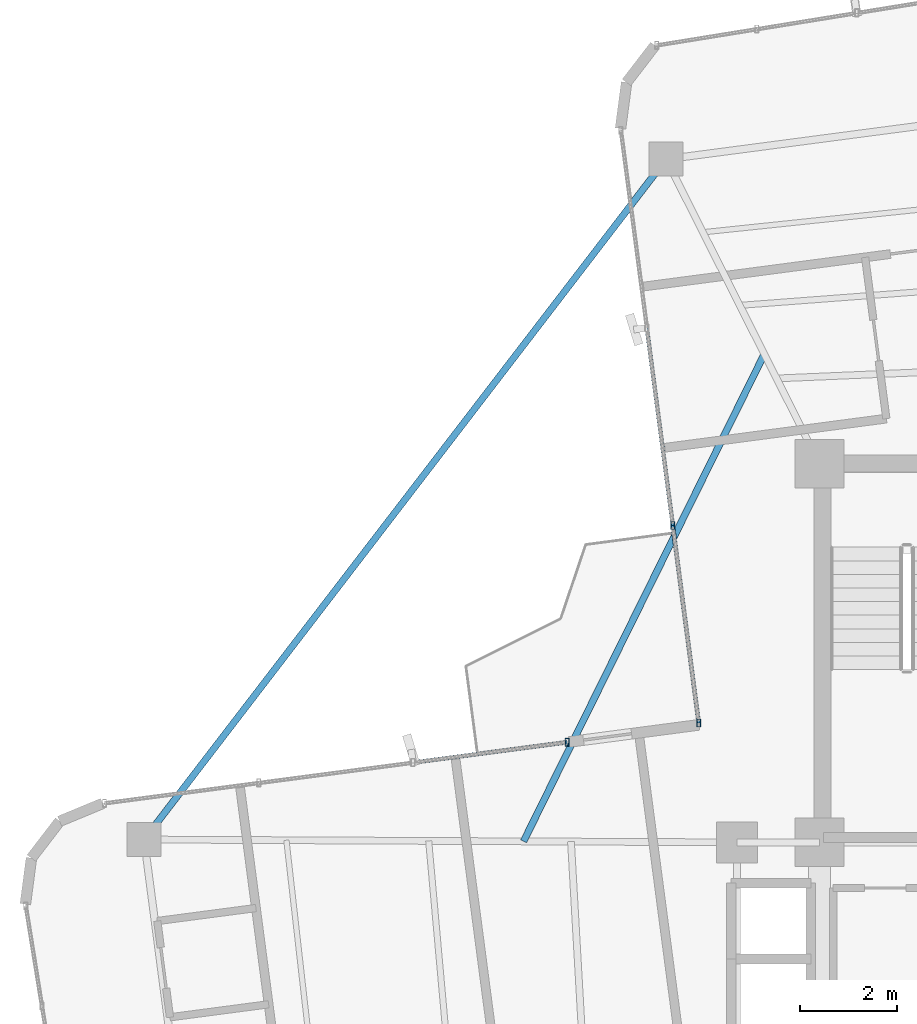
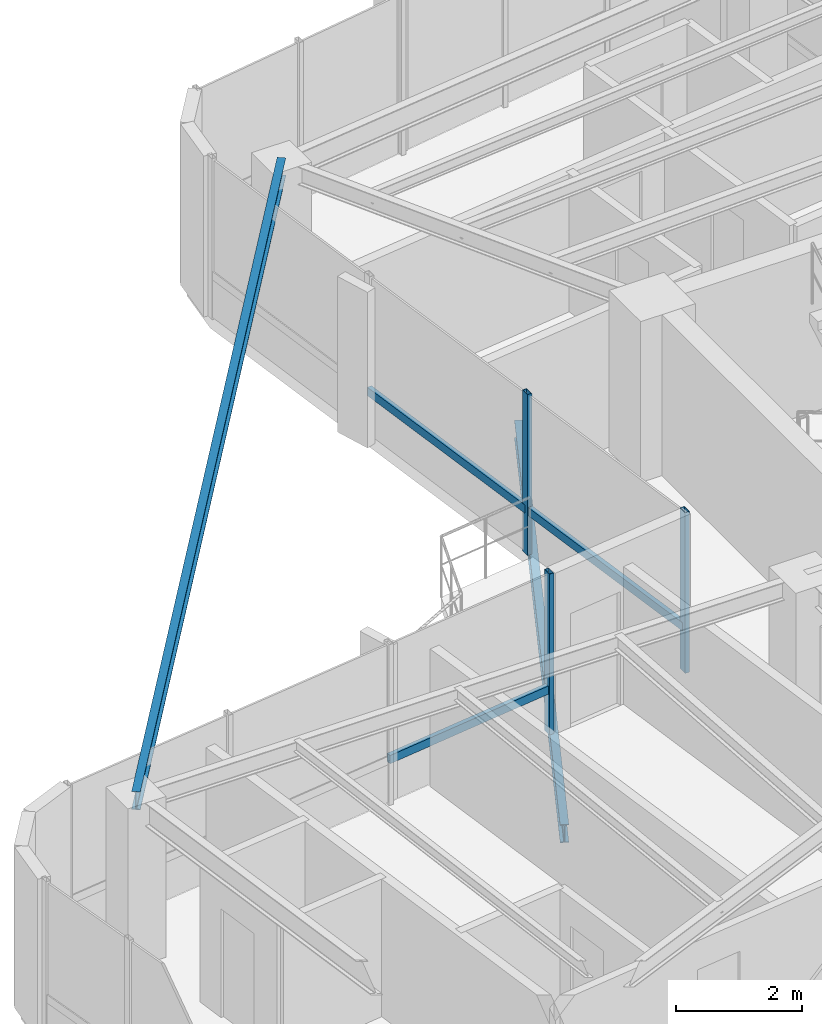
# One storey, part 9 of 22: 6 members, 2 beams, 2 elements without a shape of their own.
"""IFC4 building model written with IfcOpenShell, lengths in metres."""

from ifc_helpers import new_model, si_unit, direction, frame, origin, origin_2d, place, context, subcontext, project, spatial, hollow_rectangle, i_section, extrude, source, transform, mapped, material, material_profile, profile_set, type_object, element, aggregate, save


model = new_model("IFC4")

# Units and contexts
model_context = context("Model", 3, precision=1e-05, world=origin(), true_north=direction((0.0, 1.0)))
body_context = subcontext(model_context, "Body", "Model", "MODEL_VIEW")
ifc_project = project(units=[si_unit("LENGTHUNIT", "METRE"), si_unit("AREAUNIT", "SQUARE_METRE"), si_unit("VOLUMEUNIT", "CUBIC_METRE"), si_unit("PLANEANGLEUNIT", "RADIAN"), si_unit("MASSUNIT", "GRAM", prefix="KILO")], contexts=[model_context])

# Site, building, storey
site_placement = place(None, origin())
site = spatial("IfcSite", under=ifc_project, at=site_placement, CompositionType="ELEMENT")
building_placement = place(site_placement, origin())
building = spatial("IfcBuilding", under=site, at=building_placement, Name="Sahyath Konkavel Grand Hotel", CompositionType="ELEMENT")
storey_placement = place(building_placement, frame((0.0, 0.0, 272.449951171875)))
storey = spatial("IfcBuildingStorey", under=building, at=storey_placement, Name="L76", CompositionType="ELEMENT", Elevation=272.449951171875)

# Beam
ifc_material_1 = material(Name="Steel E350", Category="steel")
ifc_material_profile_1 = material_profile(ifc_material_1, i_section(OverallWidth=0.139892578125, OverallDepth=0.35009765625, WebThickness=0.008056640625, FlangeThickness=0.01416015625, FilletRadius=0.013916015625, at=origin_2d()), Name="ISMB 350")
ifc_profile_set_1 = profile_set([ifc_material_profile_1], Name="Steel E350")
beam_type_1 = type_object("IfcBeamType", Name="BM-ISMB350", PredefinedType="BEAM", material=ifc_profile_set_1)
shared_shape_1 = source(origin(), body_context, "Body", "SweptSolid", [
    extrude(i_section(OverallWidth=0.139892578125, OverallDepth=0.35009765625, WebThickness=0.008056640625, FlangeThickness=0.01416015625, FilletRadius=0.013916015625, at=origin_2d()), origin(), (0.0, 0.0, 1.0), 17.663330078125),
])
beam_1_placement = place(storey_placement, frame((-6.959716796875, 16.472412109375, 2.93505859375), z_axis=(-0.608754453805, -0.793358692504, 0.0), x_axis=(0.793358692504, -0.608754453805, 0.0)))
element("IfcBeam", 1, at=beam_1_placement, inside=storey, type_object=beam_type_1, Name="L76 Re-Entrant Tie Beam NW", PredefinedType="BEAM", context=body_context, shape_type="MappedRepresentation", body=[
    mapped(shared_shape_1, transform((0.0, 0.0, 0.0), scale=1.0)),
])

# Curtain wall, members
ifc_material_2 = material(Name="Anodised Bronze Aluminium & Low-E Glazing", Category="aluminium")
curtain_wall_type = type_object("IfcCurtainWallType", Name="CW-ZONE4", PredefinedType="NOTDEFINED", material=ifc_material_2)
curtain_wall_1_placement = place(storey_placement, origin())
curtain_wall_1 = element("IfcCurtainWall", 2, at=curtain_wall_1_placement, inside=storey, type_object=curtain_wall_type, Name="L76 Unitised Curtain Wall F15", PredefinedType="NOTDEFINED")
ifc_material_3 = material(Name="Anodised Bronze Aluminium", Category="aluminium")
ifc_material_profile_2 = material_profile(ifc_material_3, hollow_rectangle(XDim=0.080078125, YDim=0.159912109375, WallThickness=0.006103515625, at=origin_2d()), Name="RHS 160x80x6")
ifc_profile_set_2 = profile_set([ifc_material_profile_2], Name="Anodised Bronze Aluminium")
member_type_1 = type_object("IfcMemberType", Name="CW-MUL-160", PredefinedType="MULLION", material=ifc_profile_set_2)
shared_shape_2 = source(origin(), body_context, "Body", "SweptSolid", [
    extrude(hollow_rectangle(XDim=0.080078125, YDim=0.159912109375, WallThickness=0.006103515625, at=origin_2d()), origin(), (0.0, 0.0, 1.0), 3.110107421875),
])
member_1_placement = place(storey_placement, frame((-6.82373046875, 8.928955078125, 0.0), z_axis=(0.0, 0.0, 1.0), x_axis=(1.0, 0.0, 0.0)))
member_1 = element("IfcMember", 3, at=member_1_placement, type_object=member_type_1, Name="L76 Curtain Wall Mullion F15-2", PredefinedType="MULLION", context=body_context, shape_type="MappedRepresentation", body=[
    mapped(shared_shape_2, transform((0.0, 0.0, 0.0), scale=1.0)),
])
member_2_placement = place(storey_placement, frame((-6.2880859375, 4.86083984375, 0.0), z_axis=(0.0, 0.0, 1.0), x_axis=(1.0, 0.0, 0.0)))
member_2 = element("IfcMember", 4, at=member_2_placement, type_object=member_type_1, Name="L76 Curtain Wall Mullion F15-3", PredefinedType="MULLION", context=body_context, shape_type="MappedRepresentation", body=[
    mapped(shared_shape_2, transform((0.0, 0.0, 0.0), scale=1.0)),
])

curtain_wall_2_placement = place(storey_placement, origin())
curtain_wall_2 = element("IfcCurtainWall", 5, at=curtain_wall_2_placement, inside=storey, type_object=curtain_wall_type, Name="L76 Unitised Curtain Wall F16", PredefinedType="NOTDEFINED")
member_3_placement = place(storey_placement, frame((-8.99951171875, 4.46337890625, 0.0), z_axis=(0.0, 0.0, 1.0), x_axis=(1.0, 0.0, 0.0)))
member_3 = element("IfcMember", 6, at=member_3_placement, type_object=member_type_1, Name="L76 Curtain Wall Mullion F16-0", PredefinedType="MULLION", context=body_context, shape_type="MappedRepresentation", body=[
    mapped(shared_shape_2, transform((0.0, 0.0, 0.0), scale=1.0)),
])
ifc_material_profile_3 = material_profile(ifc_material_3, hollow_rectangle(XDim=0.080078125, YDim=0.159912109375, WallThickness=0.006103515625, at=origin_2d()), Name="RHS 160x80x6")
ifc_profile_set_3 = profile_set([ifc_material_profile_3], Name="Anodised Bronze Aluminium")
member_type_2 = type_object("IfcMemberType", Name="CW-TRN-160", PredefinedType="USERDEFINED", material=ifc_profile_set_3)
shared_shape_3 = source(origin(), body_context, "Body", "SweptSolid", [
    extrude(hollow_rectangle(XDim=0.080078125, YDim=0.159912109375, WallThickness=0.006103515625, at=origin_2d()), origin(), (0.0, 0.0, 1.0), 3.203369140625),
])
member_4_placement = place(storey_placement, frame((-8.99951171875, 4.46337890625, 0.85009765625), z_axis=(-0.991451441867, -0.130476198668, 0.0), x_axis=(0.130476198668, -0.991451441867, 0.0)))
member_4 = element("IfcMember", 7, at=member_4_placement, type_object=member_type_2, Name="L76 Curtain Wall Transom F16-0-spandrel", ObjectType="TRANSOM", PredefinedType="USERDEFINED", context=body_context, shape_type="MappedRepresentation", body=[
    mapped(shared_shape_3, transform((0.0, 0.0, 0.0), scale=1.0)),
])
aggregate(curtain_wall_2, [member_3, member_4])

# Member
shared_shape_4 = source(origin(), body_context, "Body", "SweptSolid", [
    extrude(hollow_rectangle(XDim=0.080078125, YDim=0.159912109375, WallThickness=0.006103515625, at=origin_2d()), origin(), (0.0, 0.0, 1.0), 4.103271484375),
])
member_5_placement = place(storey_placement, frame((-6.82373046875, 8.928955078125, 0.85009765625), z_axis=(0.130542242661, -0.991442748161, 0.0), x_axis=(0.991442748161, 0.130542242661, 0.0)))
member_5 = element("IfcMember", 8, at=member_5_placement, type_object=member_type_2, Name="L76 Curtain Wall Transom F15-2-spandrel", ObjectType="TRANSOM", PredefinedType="USERDEFINED", context=body_context, shape_type="MappedRepresentation", body=[
    mapped(shared_shape_4, transform((0.0, 0.0, 0.0), scale=1.0)),
])

shared_shape_5 = source(origin(), body_context, "Body", "SweptSolid", [
    extrude(hollow_rectangle(XDim=0.080078125, YDim=0.159912109375, WallThickness=0.006103515625, at=origin_2d()), origin(), (0.0, 0.0, 1.0), 4.103515625),
])
member_6_placement = place(storey_placement, frame((-7.359619140625, 12.997314453125, 0.85009765625), z_axis=(0.130593024052, -0.991436060505, 0.0), x_axis=(0.991436060505, 0.130593024052, 0.0)))
member_6 = element("IfcMember", 9, at=member_6_placement, type_object=member_type_2, Name="L76 Curtain Wall Transom F15-1-spandrel", ObjectType="TRANSOM", PredefinedType="USERDEFINED", context=body_context, shape_type="MappedRepresentation", body=[
    mapped(shared_shape_5, transform((0.0, 0.0, 0.0), scale=1.0)),
])

aggregate(curtain_wall_1, [member_1, member_2, member_6, member_5])

# Beam
ifc_material_profile_4 = material_profile(ifc_material_1, i_section(OverallWidth=0.139892578125, OverallDepth=0.35009765625, WebThickness=0.008056640625, FlangeThickness=0.01416015625, FilletRadius=0.013916015625, at=origin_2d()), Name="ISMB 350")
ifc_profile_set_4 = profile_set([ifc_material_profile_4], Name="Steel E350")
beam_type_2 = type_object("IfcBeamType", Name="BM-BALC-CANT", PredefinedType="BEAM", material=ifc_profile_set_4)
shared_shape_6 = source(origin(), body_context, "Body", "SweptSolid", [
    extrude(i_section(OverallWidth=0.139892578125, OverallDepth=0.35009765625, WebThickness=0.008056640625, FlangeThickness=0.01416015625, FilletRadius=0.013916015625, at=origin_2d()), origin(), (0.0, 0.0, 1.0), 11.19482421875),
])
beam_2_placement = place(storey_placement, frame((-4.9375, 12.4580078125, -0.4150390625), z_axis=(-0.442969049107, -0.896536904725, 0.0), x_axis=(0.896536904725, -0.442969049107, 0.0)))
element("IfcBeam", 10, at=beam_2_placement, inside=storey, type_object=beam_type_2, Name="L76 Balcony Cantilever Support Beam NW", PredefinedType="BEAM", context=body_context, shape_type="MappedRepresentation", body=[
    mapped(shared_shape_6, transform((0.0, 0.0, 0.0), scale=1.0)),
])

save(model, "model.ifc")
